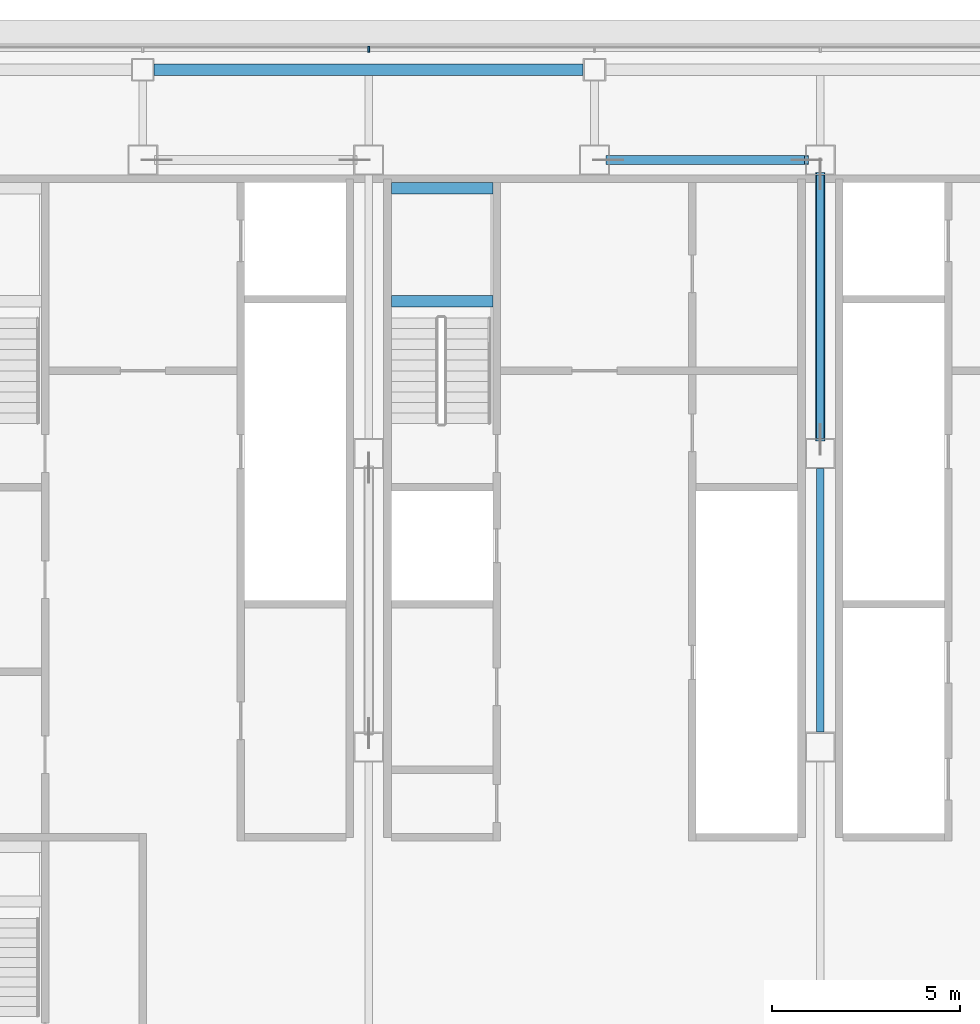
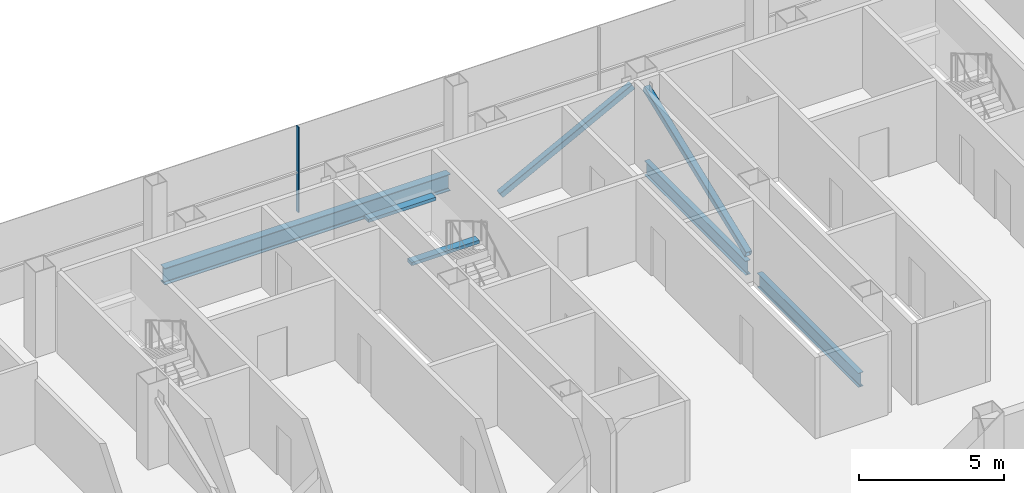
# One storey, part 15 of 30: 5 beams, 3 members, 1 element without a shape of its own.
"""IFC4 building model written with IfcOpenShell, lengths in metres."""

from ifc_helpers import new_model, si_unit, direction, frame, origin, origin_2d, place, context, subcontext, project, spatial, rectangle, hollow_rectangle, i_section, extrude, material, material_profile, profile_set, type_object, element, aggregate, save


model = new_model("IFC4")

# Units and contexts
model_context = context("Model", 3, precision=1e-05, world=origin(), true_north=direction((0.0, 1.0)))
body_context = subcontext(model_context, "Body", "Model", "MODEL_VIEW")
ifc_project = project(units=[si_unit("LENGTHUNIT", "METRE"), si_unit("AREAUNIT", "SQUARE_METRE"), si_unit("VOLUMEUNIT", "CUBIC_METRE"), si_unit("PLANEANGLEUNIT", "RADIAN"), si_unit("MASSUNIT", "GRAM", prefix="KILO")], contexts=[model_context])

# Site, building, storey
site_placement = place(None, origin())
site = spatial("IfcSite", under=ifc_project, at=site_placement, CompositionType="ELEMENT")
building_placement = place(site_placement, origin())
building = spatial("IfcBuilding", under=site, at=building_placement, Name="Sorahane Residences", CompositionType="ELEMENT")
storey_placement = place(building_placement, frame((0.0, 0.0, 263.0)))
storey = spatial("IfcBuildingStorey", under=building, at=storey_placement, Name="L62", CompositionType="ELEMENT", Elevation=263.0)

# Members
ifc_material_1 = material(Name="Steel Q355B", Category="steel")
ifc_material_profile_1 = material_profile(ifc_material_1, hollow_rectangle(XDim=0.25, YDim=0.25, WallThickness=0.013916015625, InnerFilletRadius=0.007080078125, OuterFilletRadius=0.02099609375, at=origin_2d()), Name="RHS 250x250x14")
ifc_profile_set_1 = profile_set([ifc_material_profile_1], Name="Steel Q355B")
member_type_1 = type_object("IfcMemberType", Name="Core brace RHS 250x250x14 Q355B", PredefinedType="BRACE", material=ifc_profile_set_1)
member_1_placement = place(storey_placement, frame((24.365234375, 45.60009765625, 0.10693359375), z_axis=(0.886099769192, 0.0, 0.46349455125), x_axis=(0.0, 1.0, 0.0)))
element("IfcMember", 1, at=member_1_placement, inside=storey, type_object=member_type_1, Name="Core brace L62 y45.6-4", PredefinedType="BRACE", context=body_context, shape_type="SweptSolid", body=[
    extrude(hollow_rectangle(XDim=0.25, YDim=0.25, WallThickness=0.013916015625, InnerFilletRadius=0.007080078125, OuterFilletRadius=0.02099609375, at=origin_2d()), origin(), (0.0, 0.0, 1.0), 5.94677734375),
])
member_2_placement = place(storey_placement, frame((30.0, 38.1728515625, 0.114501953125), z_axis=(0.0, 0.932108763247, 0.362178482902), x_axis=(-1.0, 0.0, 0.0)))
element("IfcMember", 2, at=member_2_placement, inside=storey, type_object=member_type_1, Name="Core brace L62 x30-2", PredefinedType="BRACE", context=body_context, shape_type="SweptSolid", body=[
    extrude(hollow_rectangle(XDim=0.25, YDim=0.25, WallThickness=0.013916015625, InnerFilletRadius=0.007080078125, OuterFilletRadius=0.02099609375, at=origin_2d()), origin(), (0.0, 0.0, 1.0), 7.568115234375),
])

# Curtain wall, member
ifc_material_2 = material(Name="Dark low-e glass and black anodised aluminium", Category="aluminium")
curtain_wall_type = type_object("IfcCurtainWallType", Name="Curtain wall CW-1 Typical unitised wall", PredefinedType="NOTDEFINED", material=ifc_material_2)
curtain_wall_placement = place(storey_placement, origin())
curtain_wall = element("IfcCurtainWall", 3, at=curtain_wall_placement, inside=storey, type_object=curtain_wall_type, Name="CW-1 curtain wall L62 N1", PredefinedType="NOTDEFINED")
ifc_material_3 = material(Name="Black anodised aluminium", Category="aluminium")
ifc_material_profile_2 = material_profile(ifc_material_3, rectangle(XDim=0.159912109375, YDim=0.050048828125, at=origin_2d()), Name="Curtain wall mullion CW-1 black anodised aluminium 50x160")
ifc_profile_set_2 = profile_set([ifc_material_profile_2], Name="Black anodised aluminium")
member_type_2 = type_object("IfcMemberType", Name="Curtain wall mullion CW-1 black anodised aluminium 50x160", PredefinedType="MULLION", material=ifc_profile_set_2)
member_3_placement = place(storey_placement, frame((18.0, 48.5400390625, -0.179931640625), z_axis=(0.0, 0.0, 1.0), x_axis=(0.0, 1.0, 0.0)))
member_3 = element("IfcMember", 4, at=member_3_placement, type_object=member_type_2, Name="CW-1 mullion L62 N1.6", PredefinedType="MULLION", context=body_context, shape_type="SweptSolid", body=[
    extrude(rectangle(XDim=0.159912109375, YDim=0.050048828125, at=origin_2d()), origin(), (0.0, 0.0, 1.0), 3.599853515625),
])
aggregate(curtain_wall, [member_3])

# Beams
ifc_material_4 = material(Name="Concrete C40", Category="concrete")
ifc_material_profile_3 = material_profile(ifc_material_4, rectangle(XDim=0.300048828125, YDim=0.139892578125, at=origin_2d()), Name="300x140")
ifc_profile_set_3 = profile_set([ifc_material_profile_3], Name="Concrete C40")
beam_type_1 = type_object("IfcBeamType", Name="RC landing beam 300 x 140 Concrete C40", PredefinedType="BEAM", material=ifc_profile_set_3)
for number, where, z_axis, x_axis, name in (
    (5, (18.60009765625, 41.85009765625, 1.530029296875), (1.0, 0.0, 0.0), (0.0, 1.0, 0.0), "Landing beam"),
    (6, (18.60009765625, 44.85009765625, 1.530029296875), (1.0, 0.0, 0.0), (0.0, 1.0, 0.0), "Landing beam"),
):
    element("IfcBeam", number, at=place(storey_placement, frame(where, z_axis=z_axis, x_axis=x_axis)), inside=storey, type_object=beam_type_1, Name=name, PredefinedType="BEAM", context=body_context, shape_type="SweptSolid", body=[
        extrude(rectangle(XDim=0.300048828125, YDim=0.139892578125, at=origin_2d()), origin(), (0.0, 0.0, 1.0), 2.699951171875),
    ])
ifc_material_5 = material(Name="Steel Q355B", Category="steel")
ifc_material_profile_4 = material_profile(ifc_material_5, i_section(OverallWidth=0.199951171875, OverallDepth=0.60009765625, WebThickness=0.010986328125, FlangeThickness=0.01708984375, FilletRadius=0.02392578125, at=origin_2d()), Name="HN 600x200x11x17")
ifc_profile_set_4 = profile_set([ifc_material_profile_4], Name="Steel Q355B")
beam_type_2 = type_object("IfcBeamType", Name="Steel floor beam HN 600x200x11x17 Q355B", PredefinedType="BEAM", material=ifc_profile_set_4)
for number, where, z_axis, x_axis, name in (
    (7, (30.0, 30.39990234375, -0.47998046875), (0.0, 1.0, 0.0), (-1.0, 0.0, 0.0), "Beam L62 045"),
    (8, (30.0, 38.199951171875, -0.47998046875), (0.0, 1.0, 0.0), (-1.0, 0.0, 0.0), "Beam L62 046"),
):
    element("IfcBeam", number, at=place(storey_placement, frame(where, z_axis=z_axis, x_axis=x_axis)), inside=storey, type_object=beam_type_2, Name=name, PredefinedType="BEAM", context=body_context, shape_type="SweptSolid", body=[
        extrude(i_section(OverallWidth=0.199951171875, OverallDepth=0.60009765625, WebThickness=0.010986328125, FlangeThickness=0.01708984375, FilletRadius=0.02392578125, at=origin_2d()), origin(), (0.0, 0.0, 1.0), 7.0),
    ])
ifc_material_6 = material(Name="Steel Q355B", Category="steel")
ifc_material_profile_5 = material_profile(ifc_material_6, i_section(OverallWidth=0.300048828125, OverallDepth=0.699951171875, WebThickness=0.012939453125, FlangeThickness=0.02392578125, FilletRadius=0.028076171875, at=origin_2d()), Name="HN 700x300x13x24")
ifc_profile_set_5 = profile_set([ifc_material_profile_5], Name="Steel Q355B")
beam_type_3 = type_object("IfcBeamType", Name="Steel floor beam HN 700x300x13x24 Q355B", PredefinedType="BEAM", material=ifc_profile_set_5)
beam_placement = place(storey_placement, frame((12.300048828125, 48.0, -0.530029296875), z_axis=(1.0, 0.0, 0.0), x_axis=(0.0, 1.0, 0.0)))
element("IfcBeam", 9, at=beam_placement, inside=storey, type_object=beam_type_3, Name="Beam L62 016", PredefinedType="BEAM", context=body_context, shape_type="SweptSolid", body=[
    extrude(i_section(OverallWidth=0.300048828125, OverallDepth=0.699951171875, WebThickness=0.012939453125, FlangeThickness=0.02392578125, FilletRadius=0.028076171875, at=origin_2d()), origin(), (0.0, 0.0, 1.0), 11.39990234375),
])

save(model, "model.ifc")
